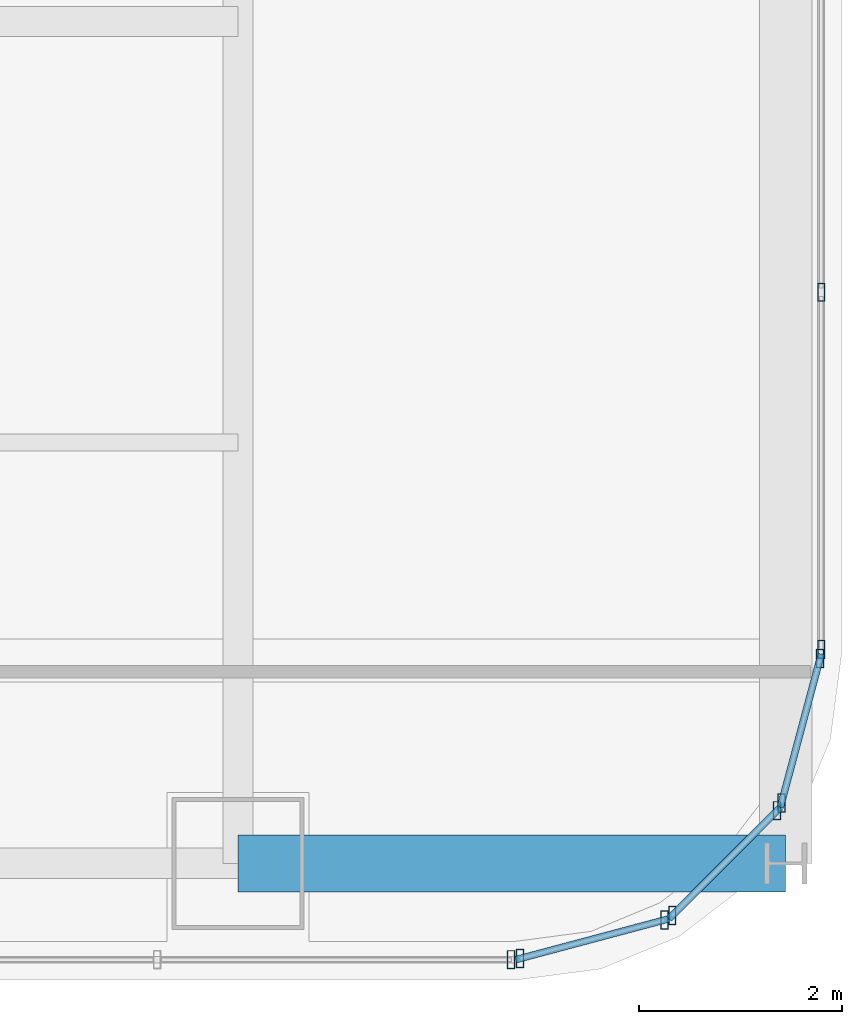
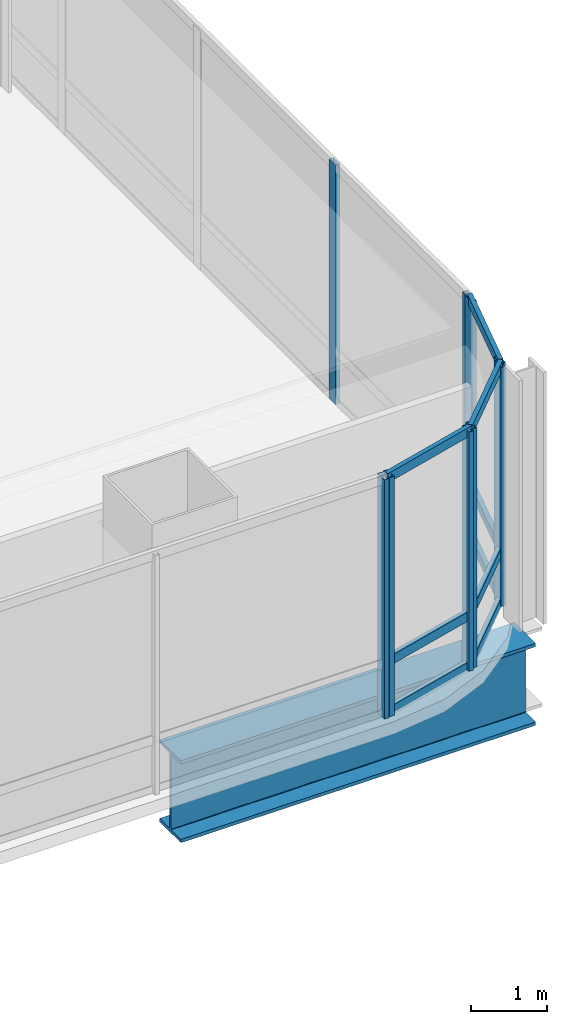
# One storey, part 15 of 40: 18 members, 1 beam, 5 elements without a shape of their own.
"""IFC4 building model written with IfcOpenShell, lengths in metres."""

from ifc_helpers import new_model, si_unit, direction, frame, origin, origin_2d, place, context, subcontext, project, spatial, hollow_rectangle, i_section, extrude, material, material_profile, profile_set, type_object, element, aggregate, save


model = new_model("IFC4")

# Units and contexts
model_context = context("Model", 3, precision=1e-05, world=origin(), true_north=direction((0.0, 1.0)))
body_context = subcontext(model_context, "Body", "Model", "MODEL_VIEW")
ifc_project = project(units=[si_unit("LENGTHUNIT", "METRE"), si_unit("AREAUNIT", "SQUARE_METRE"), si_unit("VOLUMEUNIT", "CUBIC_METRE"), si_unit("PLANEANGLEUNIT", "RADIAN"), si_unit("MASSUNIT", "GRAM", prefix="KILO")], contexts=[model_context])

# Site, building, storey
site_placement = place(None, origin())
site = spatial("IfcSite", under=ifc_project, at=site_placement, CompositionType="ELEMENT")
building_placement = place(site_placement, origin())
building = spatial("IfcBuilding", under=site, at=building_placement, Name="Punatoya Terracotta Tower", CompositionType="ELEMENT")
storey_placement = place(building_placement, frame((0.0, 0.0, 271.64990234375)))
storey = spatial("IfcBuildingStorey", under=building, at=storey_placement, Name="L64", CompositionType="ELEMENT", Elevation=271.64990234375)

# Beam
ifc_material_1 = material(Name="Steel S460", Category="steel")
ifc_material_profile_1 = material_profile(ifc_material_1, i_section(OverallWidth=0.56005859375, OverallDepth=1.320068359375, WebThickness=0.035888671875, FlangeThickness=0.054931640625, FilletRadius=0.01806640625, at=origin_2d()))
ifc_profile_set_1 = profile_set([ifc_material_profile_1], Name="Steel S460")
beam_type = type_object("IfcBeamType", Name="BM-TG-BLK", PredefinedType="BEAM", material=ifc_profile_set_1)
beam_placement = place(storey_placement, frame((19.10009765625, -17.5, -0.85986328125), z_axis=(1.0, 0.0, 0.0), x_axis=(0.0, 1.0, 0.0)))
element("IfcBeam", 1, at=beam_placement, inside=storey, type_object=beam_type, Name="BM-L64-CANT-E1", PredefinedType="BEAM", context=body_context, shape_type="SweptSolid", body=[
    extrude(i_section(OverallWidth=0.56005859375, OverallDepth=1.320068359375, WebThickness=0.035888671875, FlangeThickness=0.054931640625, FilletRadius=0.01806640625, at=origin_2d()), origin(), (0.0, 0.0, 1.0), 5.39990234375),
])

# Curtain wall, member
ifc_material_2 = material(Name="Aluminium 6063-T6 + Double Low-E Glass", Category="aluminium")
curtain_wall_type = type_object("IfcCurtainWallType", Name="CW-M3", PredefinedType="NOTDEFINED", material=ifc_material_2)
curtain_wall_1_placement = place(storey_placement, origin())
curtain_wall_1 = element("IfcCurtainWall", 2, at=curtain_wall_1_placement, inside=storey, type_object=curtain_wall_type, Name="L64 Curtain Wall CW-L64-S01-1", PredefinedType="NOTDEFINED")
ifc_material_3 = material(Name="Aluminium 6063-T6", Category="aluminium")
ifc_material_profile_2 = material_profile(ifc_material_3, hollow_rectangle(XDim=0.070068359375, YDim=0.179931640625, WallThickness=0.00390625, at=origin_2d()))
ifc_profile_set_2 = profile_set([ifc_material_profile_2], Name="Aluminium 6063-T6")
member_type_1 = type_object("IfcMemberType", Name="CW-MUL-M3", PredefinedType="MULLION", material=ifc_profile_set_2)
member_1_placement = place(storey_placement, frame((21.7919921875, -18.449951171875, 0.0), z_axis=(0.0, 0.0, 1.0), x_axis=(1.0, 0.0, 0.0)))
member_1 = element("IfcMember", 3, at=member_1_placement, type_object=member_type_1, Name="CW-L64-S01-1 Mullion 11", PredefinedType="MULLION", context=body_context, shape_type="SweptSolid", body=[
    extrude(hollow_rectangle(XDim=0.070068359375, YDim=0.179931640625, WallThickness=0.00390625, at=origin_2d()), origin(), (0.0, 0.0, 1.0), 3.85009765625),
])
aggregate(curtain_wall_1, [member_1])

# Curtain wall, members
curtain_wall_2_placement = place(storey_placement, origin())
curtain_wall_2 = element("IfcCurtainWall", 4, at=curtain_wall_2_placement, inside=storey, type_object=curtain_wall_type, Name="L64 Curtain Wall CW-L64-CRN02", PredefinedType="NOTDEFINED")
member_2_placement = place(storey_placement, frame((21.88037109375, -18.4384765625, 0.0), z_axis=(0.0, 0.0, 1.0), x_axis=(1.0, 0.0, 0.0)))
member_2 = element("IfcMember", 5, at=member_2_placement, type_object=member_type_1, Name="CW-L64-CRN02 Mullion 00", PredefinedType="MULLION", context=body_context, shape_type="SweptSolid", body=[
    extrude(hollow_rectangle(XDim=0.070068359375, YDim=0.179931640625, WallThickness=0.00390625, at=origin_2d()), origin(), (0.0, 0.0, 1.0), 3.85009765625),
])
member_3_placement = place(storey_placement, frame((23.3056640625, -18.05810546875, 0.0), z_axis=(0.0, 0.0, 1.0), x_axis=(1.0, 0.0, 0.0)))
member_3 = element("IfcMember", 6, at=member_3_placement, type_object=member_type_1, Name="CW-L64-CRN02 Mullion 01", PredefinedType="MULLION", context=body_context, shape_type="SweptSolid", body=[
    extrude(hollow_rectangle(XDim=0.070068359375, YDim=0.179931640625, WallThickness=0.00390625, at=origin_2d()), origin(), (0.0, 0.0, 1.0), 3.85009765625),
])

curtain_wall_3_placement = place(storey_placement, origin())
curtain_wall_3 = element("IfcCurtainWall", 7, at=curtain_wall_3_placement, inside=storey, type_object=curtain_wall_type, Name="L64 Curtain Wall CW-L64-CRN03", PredefinedType="NOTDEFINED")
member_4_placement = place(storey_placement, frame((23.380859375, -18.014892578125, 0.0), z_axis=(0.0, 0.0, 1.0), x_axis=(1.0, 0.0, 0.0)))
member_4 = element("IfcMember", 8, at=member_4_placement, type_object=member_type_1, Name="CW-L64-CRN03 Mullion 00", PredefinedType="MULLION", context=body_context, shape_type="SweptSolid", body=[
    extrude(hollow_rectangle(XDim=0.070068359375, YDim=0.179931640625, WallThickness=0.00390625, at=origin_2d()), origin(), (0.0, 0.0, 1.0), 3.85009765625),
])
member_5_placement = place(storey_placement, frame((24.414794921875, -16.98095703125, 0.0), z_axis=(0.0, 0.0, 1.0), x_axis=(1.0, 0.0, 0.0)))
member_5 = element("IfcMember", 9, at=member_5_placement, type_object=member_type_1, Name="CW-L64-CRN03 Mullion 01", PredefinedType="MULLION", context=body_context, shape_type="SweptSolid", body=[
    extrude(hollow_rectangle(XDim=0.070068359375, YDim=0.179931640625, WallThickness=0.00390625, at=origin_2d()), origin(), (0.0, 0.0, 1.0), 3.85009765625),
])

curtain_wall_4_placement = place(storey_placement, origin())
curtain_wall_4 = element("IfcCurtainWall", 10, at=curtain_wall_4_placement, inside=storey, type_object=curtain_wall_type, Name="L64 Curtain Wall CW-L64-CRN04", PredefinedType="NOTDEFINED")
member_6_placement = place(storey_placement, frame((24.458251953125, -16.905517578125, 0.0), z_axis=(0.0, 0.0, 1.0), x_axis=(1.0, 0.0, 0.0)))
member_6 = element("IfcMember", 11, at=member_6_placement, type_object=member_type_1, Name="CW-L64-CRN04 Mullion 00", PredefinedType="MULLION", context=body_context, shape_type="SweptSolid", body=[
    extrude(hollow_rectangle(XDim=0.070068359375, YDim=0.179931640625, WallThickness=0.00390625, at=origin_2d()), origin(), (0.0, 0.0, 1.0), 3.85009765625),
])
member_7_placement = place(storey_placement, frame((24.83837890625, -15.48046875, 0.0), z_axis=(0.0, 0.0, 1.0), x_axis=(1.0, 0.0, 0.0)))
member_7 = element("IfcMember", 12, at=member_7_placement, type_object=member_type_1, Name="CW-L64-CRN04 Mullion 01", PredefinedType="MULLION", context=body_context, shape_type="SweptSolid", body=[
    extrude(hollow_rectangle(XDim=0.070068359375, YDim=0.179931640625, WallThickness=0.00390625, at=origin_2d()), origin(), (0.0, 0.0, 1.0), 3.85009765625),
])

curtain_wall_5_placement = place(storey_placement, origin())
curtain_wall_5 = element("IfcCurtainWall", 13, at=curtain_wall_5_placement, inside=storey, type_object=curtain_wall_type, Name="L64 Curtain Wall CW-L64-E05-1", PredefinedType="NOTDEFINED")
member_8_placement = place(storey_placement, frame((24.85009765625, -15.391845703125, 0.0), z_axis=(0.0, 0.0, 1.0), x_axis=(1.0, 0.0, 0.0)))
member_8 = element("IfcMember", 14, at=member_8_placement, type_object=member_type_1, Name="CW-L64-E05-1 Mullion 00", PredefinedType="MULLION", context=body_context, shape_type="SweptSolid", body=[
    extrude(hollow_rectangle(XDim=0.070068359375, YDim=0.179931640625, WallThickness=0.00390625, at=origin_2d()), origin(), (0.0, 0.0, 1.0), 3.85009765625),
])
member_9_placement = place(storey_placement, frame((24.85009765625, -11.869384765625, 0.0), z_axis=(0.0, 0.0, 1.0), x_axis=(1.0, 0.0, 0.0)))
member_9 = element("IfcMember", 15, at=member_9_placement, type_object=member_type_1, Name="CW-L64-E05-1 Mullion 01", PredefinedType="MULLION", context=body_context, shape_type="SweptSolid", body=[
    extrude(hollow_rectangle(XDim=0.070068359375, YDim=0.179931640625, WallThickness=0.00390625, at=origin_2d()), origin(), (0.0, 0.0, 1.0), 3.85009765625),
])
aggregate(curtain_wall_5, [member_8, member_9])

# Member
ifc_material_profile_3 = material_profile(ifc_material_3, hollow_rectangle(XDim=0.068115234375, YDim=0.14990234375, WallThickness=0.00390625, at=origin_2d()))
ifc_profile_set_3 = profile_set([ifc_material_profile_3], Name="Aluminium 6063-T6")
member_type_2 = type_object("IfcMemberType", Name="CW-TRN-TYP", PredefinedType="USERDEFINED", material=ifc_profile_set_3)
member_10_placement = place(storey_placement, frame((21.8369140625, -18.449951171875, 0.0400390625), z_axis=(0.966224582397, 0.257701486942, 0.0), x_axis=(-0.257701486942, 0.966224582397, 0.0)))
member_10 = element("IfcMember", 16, at=member_10_placement, type_object=member_type_2, Name="CW-L64-CRN02 Transom 1", ObjectType="TRANSOM", PredefinedType="USERDEFINED", context=body_context, shape_type="SweptSolid", body=[
    extrude(hollow_rectangle(XDim=0.068115234375, YDim=0.14990234375, WallThickness=0.00390625, at=origin_2d()), origin(), (0.0, 0.0, 1.0), 1.565185546875),
])

member_11_placement = place(storey_placement, frame((21.8369140625, -18.449951171875, 0.85009765625), z_axis=(0.966224582397, 0.257701486942, 0.0), x_axis=(-0.257701486942, 0.966224582397, 0.0)))
member_11 = element("IfcMember", 17, at=member_11_placement, type_object=member_type_2, Name="CW-L64-CRN02 Transom 2", ObjectType="TRANSOM", PredefinedType="USERDEFINED", context=body_context, shape_type="SweptSolid", body=[
    extrude(hollow_rectangle(XDim=0.068115234375, YDim=0.14990234375, WallThickness=0.00390625, at=origin_2d()), origin(), (0.0, 0.0, 1.0), 1.565185546875),
])

member_12_placement = place(storey_placement, frame((21.8369140625, -18.449951171875, 3.81005859375), z_axis=(0.966224582397, 0.257701486942, 0.0), x_axis=(-0.257701486942, 0.966224582397, 0.0)))
member_12 = element("IfcMember", 18, at=member_12_placement, type_object=member_type_2, Name="CW-L64-CRN02 Transom 3", ObjectType="TRANSOM", PredefinedType="USERDEFINED", context=body_context, shape_type="SweptSolid", body=[
    extrude(hollow_rectangle(XDim=0.068115234375, YDim=0.14990234375, WallThickness=0.00390625, at=origin_2d()), origin(), (0.0, 0.0, 1.0), 1.565185546875),
])

aggregate(curtain_wall_2, [member_2, member_3, member_10, member_11, member_12])

member_13_placement = place(storey_placement, frame((23.34912109375, -18.046630859375, 0.0400390625), z_axis=(0.707106781187, 0.707106781187, 0.0), x_axis=(-0.707106781187, 0.707106781187, 0.0)))
member_13 = element("IfcMember", 19, at=member_13_placement, type_object=member_type_2, Name="CW-L64-CRN03 Transom 1", ObjectType="TRANSOM", PredefinedType="USERDEFINED", context=body_context, shape_type="SweptSolid", body=[
    extrude(hollow_rectangle(XDim=0.068115234375, YDim=0.14990234375, WallThickness=0.00390625, at=origin_2d()), origin(), (0.0, 0.0, 1.0), 1.552001953125),
])

member_14_placement = place(storey_placement, frame((23.34912109375, -18.046630859375, 0.85009765625), z_axis=(0.707106781187, 0.707106781187, 0.0), x_axis=(-0.707106781187, 0.707106781187, 0.0)))
member_14 = element("IfcMember", 20, at=member_14_placement, type_object=member_type_2, Name="CW-L64-CRN03 Transom 2", ObjectType="TRANSOM", PredefinedType="USERDEFINED", context=body_context, shape_type="SweptSolid", body=[
    extrude(hollow_rectangle(XDim=0.068115234375, YDim=0.14990234375, WallThickness=0.00390625, at=origin_2d()), origin(), (0.0, 0.0, 1.0), 1.552001953125),
])

member_15_placement = place(storey_placement, frame((23.34912109375, -18.046630859375, 3.81005859375), z_axis=(0.707106781187, 0.707106781187, 0.0), x_axis=(-0.707106781187, 0.707106781187, 0.0)))
member_15 = element("IfcMember", 21, at=member_15_placement, type_object=member_type_2, Name="CW-L64-CRN03 Transom 3", ObjectType="TRANSOM", PredefinedType="USERDEFINED", context=body_context, shape_type="SweptSolid", body=[
    extrude(hollow_rectangle(XDim=0.068115234375, YDim=0.14990234375, WallThickness=0.00390625, at=origin_2d()), origin(), (0.0, 0.0, 1.0), 1.552001953125),
])

aggregate(curtain_wall_3, [member_4, member_5, member_13, member_14, member_15])

member_16_placement = place(storey_placement, frame((24.446533203125, -16.94921875, 0.0400390625), z_axis=(0.257847112249, 0.966185730957, 0.0), x_axis=(-0.966185730957, 0.257847112249, 0.0)))
member_16 = element("IfcMember", 22, at=member_16_placement, type_object=member_type_2, Name="CW-L64-CRN04 Transom 1", ObjectType="TRANSOM", PredefinedType="USERDEFINED", context=body_context, shape_type="SweptSolid", body=[
    extrude(hollow_rectangle(XDim=0.068115234375, YDim=0.14990234375, WallThickness=0.00390625, at=origin_2d()), origin(), (0.0, 0.0, 1.0), 1.565185546875),
])

member_17_placement = place(storey_placement, frame((24.446533203125, -16.94921875, 0.85009765625), z_axis=(0.257847112249, 0.966185730957, 0.0), x_axis=(-0.966185730957, 0.257847112249, 0.0)))
member_17 = element("IfcMember", 23, at=member_17_placement, type_object=member_type_2, Name="CW-L64-CRN04 Transom 2", ObjectType="TRANSOM", PredefinedType="USERDEFINED", context=body_context, shape_type="SweptSolid", body=[
    extrude(hollow_rectangle(XDim=0.068115234375, YDim=0.14990234375, WallThickness=0.00390625, at=origin_2d()), origin(), (0.0, 0.0, 1.0), 1.565185546875),
])

member_18_placement = place(storey_placement, frame((24.446533203125, -16.94921875, 3.81005859375), z_axis=(0.257847112249, 0.966185730957, 0.0), x_axis=(-0.966185730957, 0.257847112249, 0.0)))
member_18 = element("IfcMember", 24, at=member_18_placement, type_object=member_type_2, Name="CW-L64-CRN04 Transom 3", ObjectType="TRANSOM", PredefinedType="USERDEFINED", context=body_context, shape_type="SweptSolid", body=[
    extrude(hollow_rectangle(XDim=0.068115234375, YDim=0.14990234375, WallThickness=0.00390625, at=origin_2d()), origin(), (0.0, 0.0, 1.0), 1.565185546875),
])

aggregate(curtain_wall_4, [member_6, member_7, member_16, member_17, member_18])

save(model, "model.ifc")
